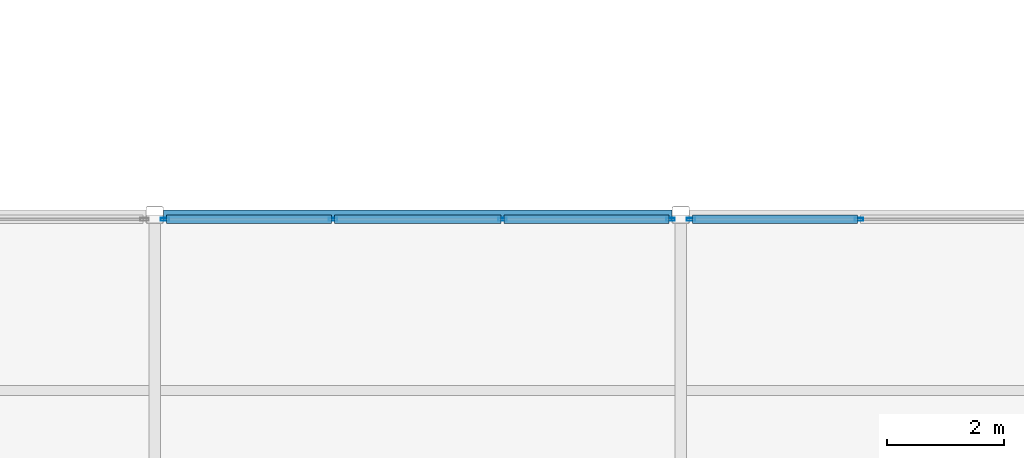
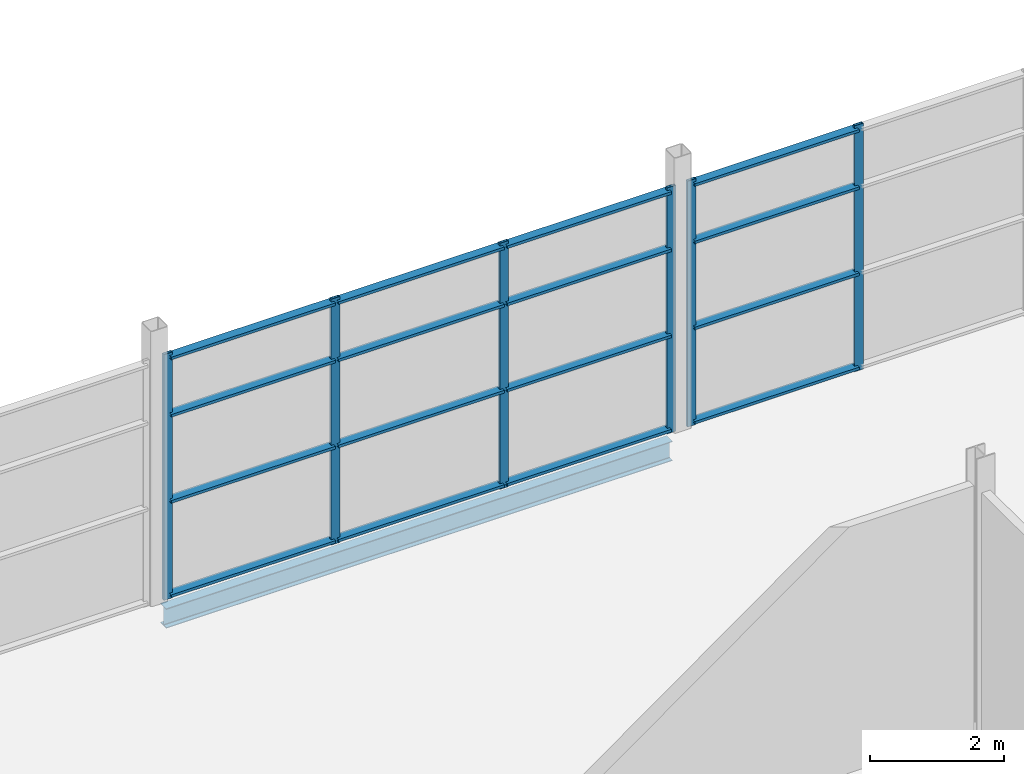
# One storey, part 63 of 112: 22 members, 1 beam, 2 elements without a shape of their own.
"""IFC4 building model written with IfcOpenShell, lengths in metres."""

from ifc_helpers import new_model, si_unit, direction, frame, origin, origin_2d, place, context, subcontext, project, spatial, hollow_rectangle, i_section, extrude, material, layer, layer_set, material_profile, profile_set, type_object, element, aggregate, save


model = new_model("IFC4")

# Units and contexts
model_context = context("Model", 3, precision=1e-05, world=origin(), true_north=direction((0.0, 1.0)))
body_context = subcontext(model_context, "Body", "Model", "MODEL_VIEW")
ifc_project = project(units=[si_unit("LENGTHUNIT", "METRE"), si_unit("AREAUNIT", "SQUARE_METRE"), si_unit("VOLUMEUNIT", "CUBIC_METRE"), si_unit("PLANEANGLEUNIT", "RADIAN"), si_unit("MASSUNIT", "GRAM", prefix="KILO")], contexts=[model_context])

# Site, building, storey
site_placement = place(None, origin())
site = spatial("IfcSite", under=ifc_project, at=site_placement, CompositionType="ELEMENT")
building_placement = place(site_placement, origin())
building = spatial("IfcBuilding", under=site, at=building_placement, Name="Shorebreak Coast Museum", CompositionType="ELEMENT")
storey_placement = place(building_placement, frame((0.0, 0.0, 6.0)))
storey = spatial("IfcBuildingStorey", under=building, at=storey_placement, Name="L01", CompositionType="ELEMENT", Elevation=6.0)

# Beam
ifc_material_1 = material(Name="Steel Grade 300", Category="steel")
ifc_material_profile_1 = material_profile(ifc_material_1, i_section(OverallWidth=0.1708984375, OverallDepth=0.355712890625, WebThickness=0.00732421875, FlangeThickness=0.011474609375, FilletRadius=0.011474609375, at=origin_2d()), Name="360UB50.7")
ifc_profile_set_1 = profile_set([ifc_material_profile_1], Name="Steel Grade 300")
beam_type = type_object("IfcBeamType", Name="Floor girder east-west 360UB50.7", PredefinedType="BEAM", material=ifc_profile_set_1)
beam_placement = place(storey_placement, frame((144.14990234375, 90.0, -0.352783203125), z_axis=(1.0, 0.0, 0.0), x_axis=(0.0, 1.0, 0.0)))
element("IfcBeam", 1, at=beam_placement, inside=storey, type_object=beam_type, Name="Floor girder east-west L01 17L", PredefinedType="BEAM", context=body_context, shape_type="SweptSolid", body=[
    extrude(i_section(OverallWidth=0.1708984375, OverallDepth=0.355712890625, WebThickness=0.00732421875, FlangeThickness=0.011474609375, FilletRadius=0.011474609375, at=origin_2d()), origin(), (0.0, 0.0, 1.0), 8.7001953125),
])

# Curtain wall, members
ifc_material_2 = material(Name="Aluminium", Category="aluminium")
ifc_layer = layer(ifc_material_2, 0.14990234375)
ifc_layer_set = layer_set([ifc_layer], Name="Aluminium")
curtain_wall_type = type_object("IfcCurtainWallType", Name="Storefront curtain wall", PredefinedType="NOTDEFINED", material=ifc_layer_set)
curtain_wall_1_placement = place(storey_placement, origin())
curtain_wall_1 = element("IfcCurtainWall", 2, at=curtain_wall_1_placement, inside=storey, type_object=curtain_wall_type, Name="Storefront L01 N 16", PredefinedType="NOTDEFINED")
ifc_material_3 = material(Name="Aluminium", Category="aluminium")
ifc_material_profile_2 = material_profile(ifc_material_3, hollow_rectangle(XDim=0.050048828125, YDim=0.14990234375, WallThickness=0.00390625, at=origin_2d()), Name="AL 150x50 RHS")
ifc_profile_set_2 = profile_set([ifc_material_profile_2], Name="Aluminium")
member_type_1 = type_object("IfcMemberType", Name="Storefront mullion 50 x 150", PredefinedType="MULLION", material=ifc_profile_set_2)
member_1_placement = place(storey_placement, frame((144.175048828125, 89.925048828125, 0.0), z_axis=(0.0, 0.0, 1.0), x_axis=(0.0, 1.0, 0.0)))
member_1 = element("IfcMember", 3, at=member_1_placement, type_object=member_type_1, Name="CW8 mullion 1", PredefinedType="MULLION", context=body_context, shape_type="SweptSolid", body=[
    extrude(hollow_rectangle(XDim=0.050048828125, YDim=0.14990234375, WallThickness=0.00390625, at=origin_2d()), origin(), (0.0, 0.0, 1.0), 4.469482421875),
])
member_2_placement = place(storey_placement, frame((147.050048828125, 89.925048828125, 0.0), z_axis=(0.0, 0.0, 1.0), x_axis=(0.0, 1.0, 0.0)))
member_2 = element("IfcMember", 4, at=member_2_placement, type_object=member_type_1, Name="CW8 mullion 2", PredefinedType="MULLION", context=body_context, shape_type="SweptSolid", body=[
    extrude(hollow_rectangle(XDim=0.050048828125, YDim=0.14990234375, WallThickness=0.00390625, at=origin_2d()), origin(), (0.0, 0.0, 1.0), 4.469482421875),
])
member_3_placement = place(storey_placement, frame((149.949951171875, 89.925048828125, 0.0), z_axis=(0.0, 0.0, 1.0), x_axis=(0.0, 1.0, 0.0)))
member_3 = element("IfcMember", 5, at=member_3_placement, type_object=member_type_1, Name="CW8 mullion 3", PredefinedType="MULLION", context=body_context, shape_type="SweptSolid", body=[
    extrude(hollow_rectangle(XDim=0.050048828125, YDim=0.14990234375, WallThickness=0.00390625, at=origin_2d()), origin(), (0.0, 0.0, 1.0), 4.469482421875),
])
member_4_placement = place(storey_placement, frame((152.824951171875, 89.925048828125, 0.0), z_axis=(0.0, 0.0, 1.0), x_axis=(0.0, 1.0, 0.0)))
member_4 = element("IfcMember", 6, at=member_4_placement, type_object=member_type_1, Name="CW8 mullion 4", PredefinedType="MULLION", context=body_context, shape_type="SweptSolid", body=[
    extrude(hollow_rectangle(XDim=0.050048828125, YDim=0.14990234375, WallThickness=0.00390625, at=origin_2d()), origin(), (0.0, 0.0, 1.0), 4.469482421875),
])

curtain_wall_2_placement = place(storey_placement, origin())
curtain_wall_2 = element("IfcCurtainWall", 7, at=curtain_wall_2_placement, inside=storey, type_object=curtain_wall_type, Name="Storefront L01 N 17", PredefinedType="NOTDEFINED")
member_5_placement = place(storey_placement, frame((153.175048828125, 89.925048828125, 0.0), z_axis=(0.0, 0.0, 1.0), x_axis=(0.0, 1.0, 0.0)))
member_5 = element("IfcMember", 8, at=member_5_placement, type_object=member_type_1, Name="CW8 mullion 1", PredefinedType="MULLION", context=body_context, shape_type="SweptSolid", body=[
    extrude(hollow_rectangle(XDim=0.050048828125, YDim=0.14990234375, WallThickness=0.00390625, at=origin_2d()), origin(), (0.0, 0.0, 1.0), 4.469482421875),
])
member_6_placement = place(storey_placement, frame((156.050048828125, 89.925048828125, 0.0), z_axis=(0.0, 0.0, 1.0), x_axis=(0.0, 1.0, 0.0)))
member_6 = element("IfcMember", 9, at=member_6_placement, type_object=member_type_1, Name="CW8 mullion 2", PredefinedType="MULLION", context=body_context, shape_type="SweptSolid", body=[
    extrude(hollow_rectangle(XDim=0.050048828125, YDim=0.14990234375, WallThickness=0.00390625, at=origin_2d()), origin(), (0.0, 0.0, 1.0), 4.469482421875),
])

# Member
ifc_material_4 = material(Name="Aluminium", Category="aluminium")
ifc_material_profile_3 = material_profile(ifc_material_4, hollow_rectangle(XDim=0.14990234375, YDim=0.050048828125, WallThickness=0.00390625, at=origin_2d()), Name="AL 50x150 RHS")
ifc_profile_set_3 = profile_set([ifc_material_profile_3], Name="Aluminium")
member_type_2 = type_object("IfcMemberType", Name="Storefront transom 150 x 50", PredefinedType="USERDEFINED", material=ifc_profile_set_3)
member_7_placement = place(storey_placement, frame((144.199951171875, 89.925048828125, 0.074951171875), z_axis=(1.0, 0.0, 0.0), x_axis=(0.0, 1.0, 0.0)))
member_7 = element("IfcMember", 10, at=member_7_placement, type_object=member_type_2, Name="CW8 transom 1.1", ObjectType="TRANSOM", PredefinedType="USERDEFINED", context=body_context, shape_type="SweptSolid", body=[
    extrude(hollow_rectangle(XDim=0.14990234375, YDim=0.050048828125, WallThickness=0.00390625, at=origin_2d()), origin(), (0.0, 0.0, 1.0), 2.824951171875),
])

member_8_placement = place(storey_placement, frame((144.199951171875, 89.925048828125, 1.787841796875), z_axis=(1.0, 0.0, 0.0), x_axis=(0.0, 1.0, 0.0)))
member_8 = element("IfcMember", 11, at=member_8_placement, type_object=member_type_2, Name="CW8 transom 1.2", ObjectType="TRANSOM", PredefinedType="USERDEFINED", context=body_context, shape_type="SweptSolid", body=[
    extrude(hollow_rectangle(XDim=0.14990234375, YDim=0.050048828125, WallThickness=0.00390625, at=origin_2d()), origin(), (0.0, 0.0, 1.0), 2.824951171875),
])

member_9_placement = place(storey_placement, frame((144.199951171875, 89.925048828125, 3.35205078125), z_axis=(1.0, 0.0, 0.0), x_axis=(0.0, 1.0, 0.0)))
member_9 = element("IfcMember", 12, at=member_9_placement, type_object=member_type_2, Name="CW8 transom 1.3", ObjectType="TRANSOM", PredefinedType="USERDEFINED", context=body_context, shape_type="SweptSolid", body=[
    extrude(hollow_rectangle(XDim=0.14990234375, YDim=0.050048828125, WallThickness=0.00390625, at=origin_2d()), origin(), (0.0, 0.0, 1.0), 2.824951171875),
])

member_10_placement = place(storey_placement, frame((144.199951171875, 89.925048828125, 4.394287109375), z_axis=(1.0, 0.0, 0.0), x_axis=(0.0, 1.0, 0.0)))
member_10 = element("IfcMember", 13, at=member_10_placement, type_object=member_type_2, Name="CW8 transom 1.4", ObjectType="TRANSOM", PredefinedType="USERDEFINED", context=body_context, shape_type="SweptSolid", body=[
    extrude(hollow_rectangle(XDim=0.14990234375, YDim=0.050048828125, WallThickness=0.00390625, at=origin_2d()), origin(), (0.0, 0.0, 1.0), 2.824951171875),
])

member_11_placement = place(storey_placement, frame((147.074951171875, 89.925048828125, 0.074951171875), z_axis=(1.0, 0.0, 0.0), x_axis=(0.0, 1.0, 0.0)))
member_11 = element("IfcMember", 14, at=member_11_placement, type_object=member_type_2, Name="CW8 transom 2.1", ObjectType="TRANSOM", PredefinedType="USERDEFINED", context=body_context, shape_type="SweptSolid", body=[
    extrude(hollow_rectangle(XDim=0.14990234375, YDim=0.050048828125, WallThickness=0.00390625, at=origin_2d()), origin(), (0.0, 0.0, 1.0), 2.85009765625),
])

member_12_placement = place(storey_placement, frame((147.074951171875, 89.925048828125, 1.787841796875), z_axis=(1.0, 0.0, 0.0), x_axis=(0.0, 1.0, 0.0)))
member_12 = element("IfcMember", 15, at=member_12_placement, type_object=member_type_2, Name="CW8 transom 2.2", ObjectType="TRANSOM", PredefinedType="USERDEFINED", context=body_context, shape_type="SweptSolid", body=[
    extrude(hollow_rectangle(XDim=0.14990234375, YDim=0.050048828125, WallThickness=0.00390625, at=origin_2d()), origin(), (0.0, 0.0, 1.0), 2.85009765625),
])

member_13_placement = place(storey_placement, frame((147.074951171875, 89.925048828125, 3.35205078125), z_axis=(1.0, 0.0, 0.0), x_axis=(0.0, 1.0, 0.0)))
member_13 = element("IfcMember", 16, at=member_13_placement, type_object=member_type_2, Name="CW8 transom 2.3", ObjectType="TRANSOM", PredefinedType="USERDEFINED", context=body_context, shape_type="SweptSolid", body=[
    extrude(hollow_rectangle(XDim=0.14990234375, YDim=0.050048828125, WallThickness=0.00390625, at=origin_2d()), origin(), (0.0, 0.0, 1.0), 2.85009765625),
])

member_14_placement = place(storey_placement, frame((147.074951171875, 89.925048828125, 4.394287109375), z_axis=(1.0, 0.0, 0.0), x_axis=(0.0, 1.0, 0.0)))
member_14 = element("IfcMember", 17, at=member_14_placement, type_object=member_type_2, Name="CW8 transom 2.4", ObjectType="TRANSOM", PredefinedType="USERDEFINED", context=body_context, shape_type="SweptSolid", body=[
    extrude(hollow_rectangle(XDim=0.14990234375, YDim=0.050048828125, WallThickness=0.00390625, at=origin_2d()), origin(), (0.0, 0.0, 1.0), 2.85009765625),
])

member_15_placement = place(storey_placement, frame((149.97509765625, 89.925048828125, 0.074951171875), z_axis=(1.0, 0.0, 0.0), x_axis=(0.0, 1.0, 0.0)))
member_15 = element("IfcMember", 18, at=member_15_placement, type_object=member_type_2, Name="CW8 transom 3.1", ObjectType="TRANSOM", PredefinedType="USERDEFINED", context=body_context, shape_type="SweptSolid", body=[
    extrude(hollow_rectangle(XDim=0.14990234375, YDim=0.050048828125, WallThickness=0.00390625, at=origin_2d()), origin(), (0.0, 0.0, 1.0), 2.824951171875),
])

member_16_placement = place(storey_placement, frame((149.97509765625, 89.925048828125, 1.787841796875), z_axis=(1.0, 0.0, 0.0), x_axis=(0.0, 1.0, 0.0)))
member_16 = element("IfcMember", 19, at=member_16_placement, type_object=member_type_2, Name="CW8 transom 3.2", ObjectType="TRANSOM", PredefinedType="USERDEFINED", context=body_context, shape_type="SweptSolid", body=[
    extrude(hollow_rectangle(XDim=0.14990234375, YDim=0.050048828125, WallThickness=0.00390625, at=origin_2d()), origin(), (0.0, 0.0, 1.0), 2.824951171875),
])

member_17_placement = place(storey_placement, frame((149.97509765625, 89.925048828125, 3.35205078125), z_axis=(1.0, 0.0, 0.0), x_axis=(0.0, 1.0, 0.0)))
member_17 = element("IfcMember", 20, at=member_17_placement, type_object=member_type_2, Name="CW8 transom 3.3", ObjectType="TRANSOM", PredefinedType="USERDEFINED", context=body_context, shape_type="SweptSolid", body=[
    extrude(hollow_rectangle(XDim=0.14990234375, YDim=0.050048828125, WallThickness=0.00390625, at=origin_2d()), origin(), (0.0, 0.0, 1.0), 2.824951171875),
])

member_18_placement = place(storey_placement, frame((149.97509765625, 89.925048828125, 4.394287109375), z_axis=(1.0, 0.0, 0.0), x_axis=(0.0, 1.0, 0.0)))
member_18 = element("IfcMember", 21, at=member_18_placement, type_object=member_type_2, Name="CW8 transom 3.4", ObjectType="TRANSOM", PredefinedType="USERDEFINED", context=body_context, shape_type="SweptSolid", body=[
    extrude(hollow_rectangle(XDim=0.14990234375, YDim=0.050048828125, WallThickness=0.00390625, at=origin_2d()), origin(), (0.0, 0.0, 1.0), 2.824951171875),
])

aggregate(curtain_wall_1, [member_1, member_2, member_3, member_4, member_7, member_8, member_9, member_10, member_11, member_12, member_13, member_14, member_15, member_16, member_17, member_18])

member_19_placement = place(storey_placement, frame((153.199951171875, 89.925048828125, 0.074951171875), z_axis=(1.0, 0.0, 0.0), x_axis=(0.0, 1.0, 0.0)))
member_19 = element("IfcMember", 22, at=member_19_placement, type_object=member_type_2, Name="CW8 transom 1.1", ObjectType="TRANSOM", PredefinedType="USERDEFINED", context=body_context, shape_type="SweptSolid", body=[
    extrude(hollow_rectangle(XDim=0.14990234375, YDim=0.050048828125, WallThickness=0.00390625, at=origin_2d()), origin(), (0.0, 0.0, 1.0), 2.824951171875),
])

member_20_placement = place(storey_placement, frame((153.199951171875, 89.925048828125, 1.787841796875), z_axis=(1.0, 0.0, 0.0), x_axis=(0.0, 1.0, 0.0)))
member_20 = element("IfcMember", 23, at=member_20_placement, type_object=member_type_2, Name="CW8 transom 1.2", ObjectType="TRANSOM", PredefinedType="USERDEFINED", context=body_context, shape_type="SweptSolid", body=[
    extrude(hollow_rectangle(XDim=0.14990234375, YDim=0.050048828125, WallThickness=0.00390625, at=origin_2d()), origin(), (0.0, 0.0, 1.0), 2.824951171875),
])

member_21_placement = place(storey_placement, frame((153.199951171875, 89.925048828125, 3.35205078125), z_axis=(1.0, 0.0, 0.0), x_axis=(0.0, 1.0, 0.0)))
member_21 = element("IfcMember", 24, at=member_21_placement, type_object=member_type_2, Name="CW8 transom 1.3", ObjectType="TRANSOM", PredefinedType="USERDEFINED", context=body_context, shape_type="SweptSolid", body=[
    extrude(hollow_rectangle(XDim=0.14990234375, YDim=0.050048828125, WallThickness=0.00390625, at=origin_2d()), origin(), (0.0, 0.0, 1.0), 2.824951171875),
])

member_22_placement = place(storey_placement, frame((153.199951171875, 89.925048828125, 4.394287109375), z_axis=(1.0, 0.0, 0.0), x_axis=(0.0, 1.0, 0.0)))
member_22 = element("IfcMember", 25, at=member_22_placement, type_object=member_type_2, Name="CW8 transom 1.4", ObjectType="TRANSOM", PredefinedType="USERDEFINED", context=body_context, shape_type="SweptSolid", body=[
    extrude(hollow_rectangle(XDim=0.14990234375, YDim=0.050048828125, WallThickness=0.00390625, at=origin_2d()), origin(), (0.0, 0.0, 1.0), 2.824951171875),
])

aggregate(curtain_wall_2, [member_5, member_6, member_19, member_20, member_21, member_22])

save(model, "model.ifc")
